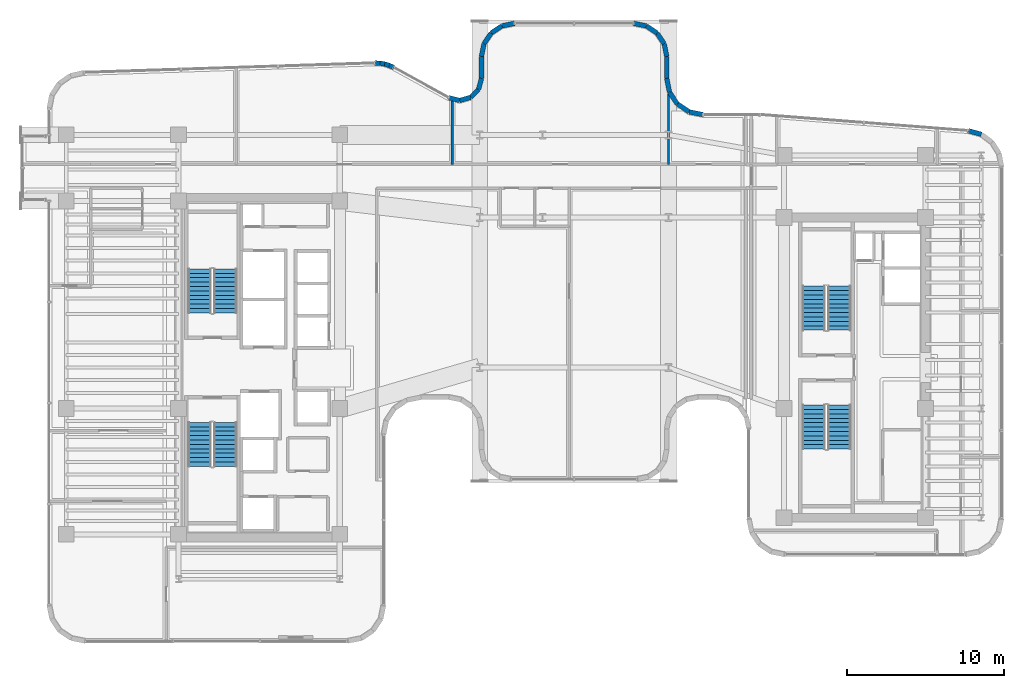
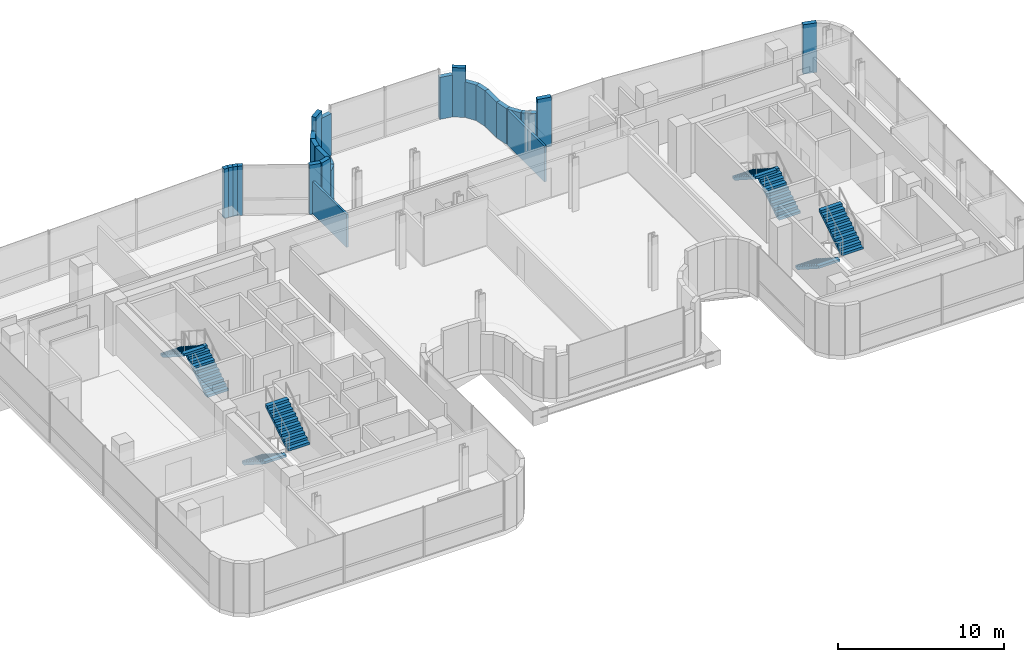
# One storey, part 31 of 37: 25 walls, 8 stair flights, 4 elements without a shape of their own.
"""IFC4 building model written with IfcOpenShell, lengths in metres."""

from ifc_helpers import new_model, si_unit, direction, frame, frame_2d, origin, place, context, subcontext, project, spatial, polyline, rectangle, outline, extrude, material, layer, layer_set, type_object, element, aggregate, save


model = new_model("IFC4")

# Units and contexts
model_context = context("Model", 3, precision=1e-05, world=origin(), true_north=direction((0.0, 1.0)))
body_context = subcontext(model_context, "Body", "Model", "MODEL_VIEW")
ifc_project = project(units=[si_unit("LENGTHUNIT", "METRE"), si_unit("AREAUNIT", "SQUARE_METRE"), si_unit("VOLUMEUNIT", "CUBIC_METRE"), si_unit("PLANEANGLEUNIT", "RADIAN"), si_unit("MASSUNIT", "GRAM", prefix="KILO")], contexts=[model_context])

# Site, building, storey
site_placement = place(None, origin())
site = spatial("IfcSite", under=ifc_project, at=site_placement, CompositionType="ELEMENT")
building_placement = place(site_placement, origin())
building = spatial("IfcBuilding", under=site, at=building_placement, Name="Valdorenza Pilgrim Sanctuary Tower", CompositionType="ELEMENT")
storey_placement = place(building_placement, frame((0.0, 0.0, 188.39990234375)))
storey = spatial("IfcBuildingStorey", under=building, at=storey_placement, Name="L48", CompositionType="ELEMENT", Elevation=188.39990234375)

# Walls
ifc_material_1 = material(Name="Honed travertine limestone", Category="masonry")
ifc_layer_1 = layer(ifc_material_1, 0.300048828125, Name="Honed travertine limestone")
ifc_layer_set_1 = layer_set([ifc_layer_1], Name="Honed travertine limestone")
wall_type_1 = type_object("IfcWallType", Name="WAL-EXT-300", PredefinedType="SOLIDWALL", material=ifc_layer_set_1)
wall_1_placement = place(storey_placement, frame((-10.157958984375, 19.368408203125, 0.0), z_axis=(0.0, 0.0, 1.0), x_axis=(0.999425494718, -0.03389218949, 0.0)))
element("IfcWall", 1, at=wall_1_placement, inside=storey, type_object=wall_type_1, Name="L48 Rounded Wind-Corner Stone Pier 7", PredefinedType="SOLIDWALL", context=body_context, shape_type="SweptSolid", body=[
    extrude(rectangle(XDim=0.309814453125, YDim=0.300048828125, at=frame_2d((0.15478515625, 0.0))), origin(), (0.0, 0.0, 1.0), 3.630126953125),
])
for number, where, z_axis, x_axis, name in (
    (2, (-9.848388671875, 19.35791015625, 0.0), (0.0, 0.0, 1.0), (0.985894009724, -0.167370850479, 0.0), "L48 Rounded Wind-Corner Stone Pier 8"),
    (3, (-9.54638671875, 19.306640625, 0.0), (0.0, 0.0, 1.0), (0.95479144403, -0.297276467966, 0.0), "L48 Rounded Wind-Corner Stone Pier 9"),
):
    element("IfcWall", number, at=place(storey_placement, frame(where, z_axis=z_axis, x_axis=x_axis)), inside=storey, type_object=wall_type_1, Name=name, PredefinedType="SOLIDWALL", context=body_context, shape_type="SweptSolid", body=[
        extrude(rectangle(XDim=0.306396484375, YDim=0.300048828125, at=frame_2d((0.1533203125, 0.0))), origin(), (0.0, 0.0, 1.0), 3.630126953125),
    ])
wall_2_placement = place(storey_placement, frame((-9.25390625, 19.215576171875, 0.0), z_axis=(0.0, 0.0, 1.0), x_axis=(0.906524902388, -0.42215234377, 0.0)))
element("IfcWall", 4, at=wall_2_placement, inside=storey, type_object=wall_type_1, Name="L48 Rounded Wind-Corner Stone Pier 10", PredefinedType="SOLIDWALL", context=body_context, shape_type="SweptSolid", body=[
    extrude(rectangle(XDim=0.31005859375, YDim=0.300048828125, at=frame_2d((0.155029296875, 0.0))), origin(), (0.0, 0.0, 1.0), 3.630126953125),
])
wall_3_placement = place(storey_placement, frame((-5.4716796875, 17.15869140625, 0.0), z_axis=(0.0, 0.0, 1.0), x_axis=(0.970564820059, -0.240840050789, 0.0)))
element("IfcWall", 5, at=wall_3_placement, inside=storey, type_object=wall_type_1, Name="L48 Rounded Wind-Corner Stone Pier 12", PredefinedType="SOLIDWALL", context=body_context, shape_type="SweptSolid", body=[
    extrude(rectangle(XDim=0.711669921875, YDim=0.300048828125, at=frame_2d((0.35595703125, 0.0))), origin(), (0.0, 0.0, 1.0), 3.630126953125),
])
wall_4_placement = place(storey_placement, frame((-4.781005859375, 16.9873046875, 0.0), z_axis=(0.0, 0.0, 1.0), x_axis=(0.962494705656, 0.271300463662, 0.0)))
element("IfcWall", 6, at=wall_4_placement, inside=storey, type_object=wall_type_1, Name="L48 Rounded Wind-Corner Stone Pier 13", PredefinedType="SOLIDWALL", context=body_context, shape_type="SweptSolid", body=[
    extrude(rectangle(XDim=0.726318359375, YDim=0.300048828125, at=frame_2d((0.36328125, 0.0))), origin(), (0.0, 0.0, 1.0), 3.630126953125),
])
wall_5_placement = place(storey_placement, frame((-4.08203125, 17.184326171875, 0.0), z_axis=(0.0, 0.0, 1.0), x_axis=(0.701538604215, 0.712631452293, 0.0)))
element("IfcWall", 7, at=wall_5_placement, inside=storey, type_object=wall_type_1, Name="L48 Rounded Wind-Corner Stone Pier 14", PredefinedType="SOLIDWALL", context=body_context, shape_type="SweptSolid", body=[
    extrude(rectangle(XDim=0.726318359375, YDim=0.300048828125, at=frame_2d((0.36328125, 0.0))), origin(), (0.0, 0.0, 1.0), 2.614990234375),
])
wall_6_placement = place(storey_placement, frame((-3.572509765625, 17.701904296875, 0.0), z_axis=(0.0, 0.0, 1.0), x_axis=(0.256637481794, 0.966507735581, 0.0)))
element("IfcWall", 8, at=wall_6_placement, inside=storey, type_object=wall_type_1, Name="L48 Rounded Wind-Corner Stone Pier 15", PredefinedType="SOLIDWALL", context=body_context, shape_type="SweptSolid", body=[
    extrude(rectangle(XDim=0.711669921875, YDim=0.300048828125, at=frame_2d((0.35595703125, 0.0))), origin(), (0.0, 0.0, 1.0), 2.614990234375),
])
wall_7_placement = place(storey_placement, frame((-3.389892578125, 18.3896484375, 0.0), z_axis=(0.0, 0.0, 1.0), x_axis=(0.0, 1.0, 0.0)))
element("IfcWall", 9, at=wall_7_placement, inside=storey, type_object=wall_type_1, Name="L48 Rounded Wind-Corner Stone Pier 16", PredefinedType="SOLIDWALL", context=body_context, shape_type="SweptSolid", body=[
    extrude(rectangle(XDim=1.3955078125, YDim=0.300048828125, at=frame_2d((0.69775390625, 0.0))), origin(), (0.0, 0.0, 1.0), 2.614990234375),
])
wall_8_placement = place(storey_placement, frame((-3.389892578125, 19.78515625, 0.0), z_axis=(0.0, 0.0, 1.0), x_axis=(0.195094354541, 0.980784478276, 0.0)))
element("IfcWall", 10, at=wall_8_placement, inside=storey, type_object=wall_type_1, Name="L48 Rounded Wind-Corner Stone Pier 17", PredefinedType="SOLIDWALL", context=body_context, shape_type="SweptSolid", body=[
    extrude(rectangle(XDim=0.8271484375, YDim=0.300048828125, at=frame_2d((0.41357421875, 0.0))), origin(), (0.0, 0.0, 1.0), 2.614990234375),
])
wall_9_placement = place(storey_placement, frame((-3.228515625, 20.596435546875, 0.0), z_axis=(0.0, 0.0, 1.0), x_axis=(0.55545926088, 0.831543750805, 0.0)))
element("IfcWall", 11, at=wall_9_placement, inside=storey, type_object=wall_type_1, Name="L48 Rounded Wind-Corner Stone Pier 18", PredefinedType="SOLIDWALL", context=body_context, shape_type="SweptSolid", body=[
    extrude(rectangle(XDim=0.816162109375, YDim=0.300048828125, at=frame_2d((0.408203125, 0.0))), origin(), (0.0, 0.0, 1.0), 2.614990234375),
])
wall_10_placement = place(storey_placement, frame((-2.775146484375, 21.275146484375, 0.0), z_axis=(0.0, 0.0, 1.0), x_axis=(0.831543750805, 0.55545926088, 0.0)))
element("IfcWall", 12, at=wall_10_placement, inside=storey, type_object=wall_type_1, Name="L48 Rounded Wind-Corner Stone Pier 19", PredefinedType="SOLIDWALL", context=body_context, shape_type="SweptSolid", body=[
    extrude(rectangle(XDim=0.816162109375, YDim=0.300048828125, at=frame_2d((0.408203125, 0.0))), origin(), (0.0, 0.0, 1.0), 3.630126953125),
])
for number, where, z_axis, x_axis, name in (
    (13, (-2.096435546875, 21.728515625, 0.0), (0.0, 0.0, 1.0), (0.980784478276, 0.195094354541, 0.0), "L48 Rounded Wind-Corner Stone Pier 20"),
    (14, (6.28515625, 21.889892578125, 0.0), (0.0, 0.0, 1.0), (0.980784478276, -0.195094354541, 0.0), "L48 Rounded Wind-Corner Stone Pier 22"),
):
    element("IfcWall", number, at=place(storey_placement, frame(where, z_axis=z_axis, x_axis=x_axis)), inside=storey, type_object=wall_type_1, Name=name, PredefinedType="SOLIDWALL", context=body_context, shape_type="SweptSolid", body=[
        extrude(rectangle(XDim=0.8271484375, YDim=0.300048828125, at=frame_2d((0.41357421875, 0.0))), origin(), (0.0, 0.0, 1.0), 3.076171875),
    ])
wall_11_placement = place(storey_placement, frame((7.096435546875, 21.728515625, 0.0), z_axis=(0.0, 0.0, 1.0), x_axis=(0.831543750805, -0.55545926088, 0.0)))
element("IfcWall", 15, at=wall_11_placement, inside=storey, type_object=wall_type_1, Name="L48 Rounded Wind-Corner Stone Pier 23", PredefinedType="SOLIDWALL", context=body_context, shape_type="SweptSolid", body=[
    extrude(rectangle(XDim=0.816162109375, YDim=0.300048828125, at=frame_2d((0.408203125, 0.0))), origin(), (0.0, 0.0, 1.0), 3.630126953125),
])
wall_12_placement = place(storey_placement, frame((7.775146484375, 21.275146484375, 0.0), z_axis=(0.0, 0.0, 1.0), x_axis=(0.55545926088, -0.831543750805, 0.0)))
element("IfcWall", 16, at=wall_12_placement, inside=storey, type_object=wall_type_1, Name="L48 Rounded Wind-Corner Stone Pier 24", PredefinedType="SOLIDWALL", context=body_context, shape_type="SweptSolid", body=[
    extrude(rectangle(XDim=0.816162109375, YDim=0.300048828125, at=frame_2d((0.408203125, 0.0))), origin(), (0.0, 0.0, 1.0), 2.614990234375),
])
wall_13_placement = place(storey_placement, frame((8.228515625, 20.596435546875, 0.0), z_axis=(0.0, 0.0, 1.0), x_axis=(0.195094354541, -0.980784478276, 0.0)))
element("IfcWall", 17, at=wall_13_placement, inside=storey, type_object=wall_type_1, Name="L48 Rounded Wind-Corner Stone Pier 25", PredefinedType="SOLIDWALL", context=body_context, shape_type="SweptSolid", body=[
    extrude(rectangle(XDim=0.8271484375, YDim=0.300048828125, at=frame_2d((0.41357421875, 0.0))), origin(), (0.0, 0.0, 1.0), 2.614990234375),
])
wall_14_placement = place(storey_placement, frame((8.389892578125, 19.78515625, 0.0), z_axis=(0.0, 0.0, 1.0), x_axis=(0.0, -1.0, 0.0)))
element("IfcWall", 18, at=wall_14_placement, inside=storey, type_object=wall_type_1, Name="L48 Rounded Wind-Corner Stone Pier 26", PredefinedType="SOLIDWALL", context=body_context, shape_type="SweptSolid", body=[
    extrude(rectangle(XDim=1.391845703125, YDim=0.300048828125, at=frame_2d((0.69580078125, 0.0))), origin(), (0.0, 0.0, 1.0), 2.614990234375),
])
wall_15_placement = place(storey_placement, frame((8.389892578125, 18.393310546875, 0.0), z_axis=(0.0, 0.0, 1.0), x_axis=(0.195222179208, -0.980759043163, 0.0)))
element("IfcWall", 19, at=wall_15_placement, inside=storey, type_object=wall_type_1, Name="L48 Rounded Wind-Corner Stone Pier 27", PredefinedType="SOLIDWALL", context=body_context, shape_type="SweptSolid", body=[
    extrude(rectangle(XDim=0.892822265625, YDim=0.300048828125, at=frame_2d((0.4462890625, 0.0))), origin(), (0.0, 0.0, 1.0), 2.614990234375),
])
for number, where, z_axis, x_axis, name in (
    (20, (8.564208984375, 17.517578125, 0.0), (0.0, 0.0, 1.0), (0.555448106233, -0.831551201841, 0.0), "L48 Rounded Wind-Corner Stone Pier 28"),
    (21, (9.066162109375, 16.76611328125, 0.0), (0.0, 0.0, 1.0), (0.831551201841, -0.555448106233, 0.0), "L48 Rounded Wind-Corner Stone Pier 29"),
):
    element("IfcWall", number, at=place(storey_placement, frame(where, z_axis=z_axis, x_axis=x_axis)), inside=storey, type_object=wall_type_1, Name=name, PredefinedType="SOLIDWALL", context=body_context, shape_type="SweptSolid", body=[
        extrude(rectangle(XDim=0.90380859375, YDim=0.300048828125, at=frame_2d((0.451904296875, 0.0))), origin(), (0.0, 0.0, 1.0), 2.614990234375),
    ])
wall_16_placement = place(storey_placement, frame((9.817626953125, 16.26416015625, 0.0), z_axis=(0.0, 0.0, 1.0), x_axis=(0.980800964186, -0.195011457743, 0.0)))
element("IfcWall", 22, at=wall_16_placement, inside=storey, type_object=wall_type_1, Name="L48 Rounded Wind-Corner Stone Pier 30", PredefinedType="SOLIDWALL", context=body_context, shape_type="SweptSolid", body=[
    extrude(rectangle(XDim=0.892578125, YDim=0.300048828125, at=frame_2d((0.4462890625, 0.0))), origin(), (0.0, 0.0, 1.0), 3.630126953125),
])
wall_17_placement = place(storey_placement, frame((27.56640625, 15.0625, 0.0), z_axis=(0.0, 0.0, 1.0), x_axis=(0.965357594382, -0.260930479187, 0.0)))
element("IfcWall", 23, at=wall_17_placement, inside=storey, type_object=wall_type_1, Name="L48 Rounded Wind-Corner Stone Pier 33", PredefinedType="SOLIDWALL", context=body_context, shape_type="SweptSolid", body=[
    extrude(rectangle(XDim=0.85986328125, YDim=0.300048828125, at=frame_2d((0.429931640625, 0.0))), origin(), (0.0, 0.0, 1.0), 3.630126953125),
])
ifc_material_2 = material(Name="Acoustic twin-stud gypsum partition", Category="gypsum")
ifc_layer_2 = layer(ifc_material_2, 0.14990234375, Name="Acoustic twin-stud gypsum partition")
ifc_layer_set_2 = layer_set([ifc_layer_2], Name="Acoustic twin-stud gypsum partition")
wall_type_2 = type_object("IfcWallType", Name="WAL-UNT-150", PredefinedType="PARTITIONING", material=ifc_layer_set_2)
wall_18_placement = place(storey_placement, frame((8.5, 12.919921875, 0.0), z_axis=(0.0, 0.0, 1.0), x_axis=(0.0, 1.0, 0.0)))
element("IfcWall", 24, at=wall_18_placement, inside=storey, type_object=wall_type_2, Name="L48 North-East Prow Split Wall", PredefinedType="PARTITIONING", context=body_context, shape_type="SweptSolid", body=[
    extrude(rectangle(XDim=4.468994140625, YDim=0.14990234375, at=frame_2d((2.234375, 0.0))), origin(), (0.0, 0.0, 1.0), 2.614990234375),
])
wall_19_placement = place(storey_placement, frame((-5.24658203125, 12.919921875, 0.0), z_axis=(0.0, 0.0, 1.0), x_axis=(0.0, 1.0, 0.0)))
element("IfcWall", 25, at=wall_19_placement, inside=storey, type_object=wall_type_2, Name="L48 Private Banquet Dining Room L48-N3 Demising Wall", PredefinedType="PARTITIONING", context=body_context, shape_type="SweptSolid", body=[
    extrude(rectangle(XDim=4.05419921875, YDim=0.14990234375, at=frame_2d((2.027099609375, 0.0))), origin(), (0.0, 0.0, 1.0), 2.4150390625),
])

# Stair, stair flights
ifc_material_3 = material(Name="Concrete C40/50", Category="concrete")
stair_type = type_object("IfcStairType", Name="STR-DOG-CORE", PredefinedType="HALF_TURN_STAIR", material=ifc_material_3)
stair_1_placement = place(storey_placement, origin())
stair_1 = element("IfcStair", 26, at=stair_1_placement, inside=storey, type_object=stair_type, Name="L48 ST-A1", PredefinedType="HALF_TURN_STAIR")
stair_flight_type = type_object("IfcStairFlightType", Name="STF-RC-1400", PredefinedType="STRAIGHT", material=ifc_material_3)
stair_flight_1_placement = place(storey_placement, frame((-19.679931640625, 3.47998046875, 0.0), z_axis=(0.0, 0.0, 1.0), x_axis=(0.0, 1.0, 0.0)))
stair_flight_1 = element("IfcStairFlight", 27, at=stair_flight_1_placement, type_object=stair_flight_type, Name="ST-A1 flight 1", NumberOfRisers=11, NumberOfTreads=10, PredefinedType="STRAIGHT", RiserHeight=0.179545455, TreadLength=0.28, context=body_context, shape_type="SweptSolid", body=[
    extrude(outline(polyline([(0.0, 0.0), (0.0, 0.179443359375), (0.280029296875, 0.179443359375), (0.280029296875, 0.359130859375), (0.56005859375, 0.359130859375), (0.56005859375, 0.53857421875), (0.840087890625, 0.53857421875), (0.840087890625, 0.71826171875), (1.1201171875, 0.71826171875), (1.1201171875, 0.897705078125), (1.39990234375, 0.897705078125), (1.39990234375, 1.077392578125), (1.679931640625, 1.077392578125), (1.679931640625, 1.2568359375), (1.9599609375, 1.2568359375), (1.9599609375, 1.436279296875), (2.239990234375, 1.436279296875), (2.239990234375, 1.615966796875), (2.52001953125, 1.615966796875), (2.52001953125, 1.79541015625), (2.800048828125, 1.79541015625), (2.800048828125, 1.97509765625), (2.800048828125, 1.617431640625), (0.277587890625, 0.0), (0.0, 0.0)])), frame((0.0, 0.739990234375, 0.0), z_axis=(0.0, -1.0, 0.0), x_axis=(1.0, 0.0, 0.0)), (0.0, 0.0, 1.0), 1.47998046875),
])
stair_flight_2_placement = place(storey_placement, frame((-21.31005859375, 6.280029296875, 1.97509765625), z_axis=(0.0, 0.0, 1.0), x_axis=(0.0, -1.0, 0.0)))
stair_flight_2 = element("IfcStairFlight", 28, at=stair_flight_2_placement, type_object=stair_flight_type, Name="ST-A1 flight 2", NumberOfRisers=11, NumberOfTreads=10, PredefinedType="STRAIGHT", RiserHeight=0.179545455, TreadLength=0.28, context=body_context, shape_type="SweptSolid", body=[
    extrude(outline(polyline([(0.0, 0.0), (0.0, 0.179443359375), (0.280029296875, 0.179443359375), (0.280029296875, 0.359130859375), (0.56005859375, 0.359130859375), (0.56005859375, 0.53857421875), (0.840087890625, 0.53857421875), (0.840087890625, 0.71826171875), (1.1201171875, 0.71826171875), (1.1201171875, 0.897705078125), (1.39990234375, 0.897705078125), (1.39990234375, 1.077392578125), (1.679931640625, 1.077392578125), (1.679931640625, 1.2568359375), (1.9599609375, 1.2568359375), (1.9599609375, 1.436279296875), (2.239990234375, 1.436279296875), (2.239990234375, 1.615966796875), (2.52001953125, 1.615966796875), (2.52001953125, 1.79541015625), (2.800048828125, 1.79541015625), (2.800048828125, 1.97509765625), (2.800048828125, 1.617431640625), (0.277587890625, 0.0), (0.0, 0.0)])), frame((0.0, 0.739990234375, 0.0), z_axis=(0.0, -1.0, 0.0), x_axis=(1.0, 0.0, 0.0)), (0.0, 0.0, 1.0), 1.47998046875),
])
aggregate(stair_1, [stair_flight_1, stair_flight_2])

stair_2_placement = place(storey_placement, origin())
stair_2 = element("IfcStair", 29, at=stair_2_placement, inside=storey, type_object=stair_type, Name="L48 ST-A2", PredefinedType="HALF_TURN_STAIR")
stair_flight_3_placement = place(storey_placement, frame((-21.31005859375, -3.47998046875, 0.0), z_axis=(0.0, 0.0, 1.0), x_axis=(0.0, -1.0, 0.0)))
stair_flight_3 = element("IfcStairFlight", 30, at=stair_flight_3_placement, type_object=stair_flight_type, Name="ST-A2 flight 1", NumberOfRisers=11, NumberOfTreads=10, PredefinedType="STRAIGHT", RiserHeight=0.179545455, TreadLength=0.28, context=body_context, shape_type="SweptSolid", body=[
    extrude(outline(polyline([(0.0, 0.0), (0.0, 0.179443359375), (0.280029296875, 0.179443359375), (0.280029296875, 0.359130859375), (0.56005859375, 0.359130859375), (0.56005859375, 0.53857421875), (0.840087890625, 0.53857421875), (0.840087890625, 0.71826171875), (1.1201171875, 0.71826171875), (1.1201171875, 0.897705078125), (1.39990234375, 0.897705078125), (1.39990234375, 1.077392578125), (1.679931640625, 1.077392578125), (1.679931640625, 1.2568359375), (1.9599609375, 1.2568359375), (1.9599609375, 1.436279296875), (2.239990234375, 1.436279296875), (2.239990234375, 1.615966796875), (2.52001953125, 1.615966796875), (2.52001953125, 1.79541015625), (2.800048828125, 1.79541015625), (2.800048828125, 1.97509765625), (2.800048828125, 1.617431640625), (0.277587890625, 0.0), (0.0, 0.0)])), frame((0.0, 0.739990234375, 0.0), z_axis=(0.0, -1.0, 0.0), x_axis=(1.0, 0.0, 0.0)), (0.0, 0.0, 1.0), 1.47998046875),
])
stair_flight_4_placement = place(storey_placement, frame((-19.679931640625, -6.280029296875, 1.97509765625), z_axis=(0.0, 0.0, 1.0), x_axis=(0.0, 1.0, 0.0)))
stair_flight_4 = element("IfcStairFlight", 31, at=stair_flight_4_placement, type_object=stair_flight_type, Name="ST-A2 flight 2", NumberOfRisers=11, NumberOfTreads=10, PredefinedType="STRAIGHT", RiserHeight=0.179545455, TreadLength=0.28, context=body_context, shape_type="SweptSolid", body=[
    extrude(outline(polyline([(0.0, 0.0), (0.0, 0.179443359375), (0.280029296875, 0.179443359375), (0.280029296875, 0.359130859375), (0.56005859375, 0.359130859375), (0.56005859375, 0.53857421875), (0.840087890625, 0.53857421875), (0.840087890625, 0.71826171875), (1.1201171875, 0.71826171875), (1.1201171875, 0.897705078125), (1.39990234375, 0.897705078125), (1.39990234375, 1.077392578125), (1.679931640625, 1.077392578125), (1.679931640625, 1.2568359375), (1.9599609375, 1.2568359375), (1.9599609375, 1.436279296875), (2.239990234375, 1.436279296875), (2.239990234375, 1.615966796875), (2.52001953125, 1.615966796875), (2.52001953125, 1.79541015625), (2.800048828125, 1.79541015625), (2.800048828125, 1.97509765625), (2.800048828125, 1.617431640625), (0.277587890625, 0.0), (0.0, 0.0)])), frame((0.0, 0.739990234375, 0.0), z_axis=(0.0, -1.0, 0.0), x_axis=(1.0, 0.0, 0.0)), (0.0, 0.0, 1.0), 1.47998046875),
])
aggregate(stair_2, [stair_flight_3, stair_flight_4])

stair_3_placement = place(storey_placement, origin())
stair_3 = element("IfcStair", 32, at=stair_3_placement, inside=storey, type_object=stair_type, Name="L48 ST-B1", PredefinedType="HALF_TURN_STAIR")
stair_flight_5_placement = place(storey_placement, frame((19.3701171875, 2.3798828125, 0.0), z_axis=(0.0, 0.0, 1.0), x_axis=(0.0, 1.0, 0.0)))
stair_flight_5 = element("IfcStairFlight", 33, at=stair_flight_5_placement, type_object=stair_flight_type, Name="ST-B1 flight 1", NumberOfRisers=11, NumberOfTreads=10, PredefinedType="STRAIGHT", RiserHeight=0.179545455, TreadLength=0.28, context=body_context, shape_type="SweptSolid", body=[
    extrude(outline(polyline([(0.0, 0.0), (0.0, 0.179443359375), (0.280029296875, 0.179443359375), (0.280029296875, 0.359130859375), (0.56005859375, 0.359130859375), (0.56005859375, 0.53857421875), (0.840087890625, 0.53857421875), (0.840087890625, 0.71826171875), (1.1201171875, 0.71826171875), (1.1201171875, 0.897705078125), (1.39990234375, 0.897705078125), (1.39990234375, 1.077392578125), (1.679931640625, 1.077392578125), (1.679931640625, 1.2568359375), (1.9599609375, 1.2568359375), (1.9599609375, 1.436279296875), (2.239990234375, 1.436279296875), (2.239990234375, 1.615966796875), (2.52001953125, 1.615966796875), (2.52001953125, 1.79541015625), (2.800048828125, 1.79541015625), (2.800048828125, 1.97509765625), (2.800048828125, 1.617431640625), (0.277587890625, 0.0), (0.0, 0.0)])), frame((0.0, 0.739990234375, 0.0), z_axis=(0.0, -1.0, 0.0), x_axis=(1.0, 0.0, 0.0)), (0.0, 0.0, 1.0), 1.47998046875),
])
stair_flight_6_placement = place(storey_placement, frame((17.739990234375, 5.179931640625, 1.97509765625), z_axis=(0.0, 0.0, 1.0), x_axis=(0.0, -1.0, 0.0)))
stair_flight_6 = element("IfcStairFlight", 34, at=stair_flight_6_placement, type_object=stair_flight_type, Name="ST-B1 flight 2", NumberOfRisers=11, NumberOfTreads=10, PredefinedType="STRAIGHT", RiserHeight=0.179545455, TreadLength=0.28, context=body_context, shape_type="SweptSolid", body=[
    extrude(outline(polyline([(0.0, 0.0), (0.0, 0.179443359375), (0.280029296875, 0.179443359375), (0.280029296875, 0.359130859375), (0.56005859375, 0.359130859375), (0.56005859375, 0.53857421875), (0.840087890625, 0.53857421875), (0.840087890625, 0.71826171875), (1.1201171875, 0.71826171875), (1.1201171875, 0.897705078125), (1.39990234375, 0.897705078125), (1.39990234375, 1.077392578125), (1.679931640625, 1.077392578125), (1.679931640625, 1.2568359375), (1.9599609375, 1.2568359375), (1.9599609375, 1.436279296875), (2.239990234375, 1.436279296875), (2.239990234375, 1.615966796875), (2.52001953125, 1.615966796875), (2.52001953125, 1.79541015625), (2.800048828125, 1.79541015625), (2.800048828125, 1.97509765625), (2.800048828125, 1.617431640625), (0.277587890625, 0.0), (0.0, 0.0)])), frame((0.0, 0.739990234375, 0.0), z_axis=(0.0, -1.0, 0.0), x_axis=(1.0, 0.0, 0.0)), (0.0, 0.0, 1.0), 1.47998046875),
])
aggregate(stair_3, [stair_flight_5, stair_flight_6])

stair_4_placement = place(storey_placement, origin())
stair_4 = element("IfcStair", 35, at=stair_4_placement, inside=storey, type_object=stair_type, Name="L48 ST-B2", PredefinedType="HALF_TURN_STAIR")
stair_flight_7_placement = place(storey_placement, frame((17.739990234375, -2.3798828125, 0.0), z_axis=(0.0, 0.0, 1.0), x_axis=(0.0, -1.0, 0.0)))
stair_flight_7 = element("IfcStairFlight", 36, at=stair_flight_7_placement, type_object=stair_flight_type, Name="ST-B2 flight 1", NumberOfRisers=11, NumberOfTreads=10, PredefinedType="STRAIGHT", RiserHeight=0.179545455, TreadLength=0.28, context=body_context, shape_type="SweptSolid", body=[
    extrude(outline(polyline([(0.0, 0.0), (0.0, 0.179443359375), (0.280029296875, 0.179443359375), (0.280029296875, 0.359130859375), (0.56005859375, 0.359130859375), (0.56005859375, 0.53857421875), (0.840087890625, 0.53857421875), (0.840087890625, 0.71826171875), (1.1201171875, 0.71826171875), (1.1201171875, 0.897705078125), (1.39990234375, 0.897705078125), (1.39990234375, 1.077392578125), (1.679931640625, 1.077392578125), (1.679931640625, 1.2568359375), (1.9599609375, 1.2568359375), (1.9599609375, 1.436279296875), (2.239990234375, 1.436279296875), (2.239990234375, 1.615966796875), (2.52001953125, 1.615966796875), (2.52001953125, 1.79541015625), (2.800048828125, 1.79541015625), (2.800048828125, 1.97509765625), (2.800048828125, 1.617431640625), (0.277587890625, 0.0), (0.0, 0.0)])), frame((0.0, 0.739990234375, 0.0), z_axis=(0.0, -1.0, 0.0), x_axis=(1.0, 0.0, 0.0)), (0.0, 0.0, 1.0), 1.47998046875),
])
stair_flight_8_placement = place(storey_placement, frame((19.3701171875, -5.179931640625, 1.97509765625), z_axis=(0.0, 0.0, 1.0), x_axis=(0.0, 1.0, 0.0)))
stair_flight_8 = element("IfcStairFlight", 37, at=stair_flight_8_placement, type_object=stair_flight_type, Name="ST-B2 flight 2", NumberOfRisers=11, NumberOfTreads=10, PredefinedType="STRAIGHT", RiserHeight=0.179545455, TreadLength=0.28, context=body_context, shape_type="SweptSolid", body=[
    extrude(outline(polyline([(0.0, 0.0), (0.0, 0.179443359375), (0.280029296875, 0.179443359375), (0.280029296875, 0.359130859375), (0.56005859375, 0.359130859375), (0.56005859375, 0.53857421875), (0.840087890625, 0.53857421875), (0.840087890625, 0.71826171875), (1.1201171875, 0.71826171875), (1.1201171875, 0.897705078125), (1.39990234375, 0.897705078125), (1.39990234375, 1.077392578125), (1.679931640625, 1.077392578125), (1.679931640625, 1.2568359375), (1.9599609375, 1.2568359375), (1.9599609375, 1.436279296875), (2.239990234375, 1.436279296875), (2.239990234375, 1.615966796875), (2.52001953125, 1.615966796875), (2.52001953125, 1.79541015625), (2.800048828125, 1.79541015625), (2.800048828125, 1.97509765625), (2.800048828125, 1.617431640625), (0.277587890625, 0.0), (0.0, 0.0)])), frame((0.0, 0.739990234375, 0.0), z_axis=(0.0, -1.0, 0.0), x_axis=(1.0, 0.0, 0.0)), (0.0, 0.0, 1.0), 1.47998046875),
])
aggregate(stair_4, [stair_flight_7, stair_flight_8])

save(model, "model.ifc")
